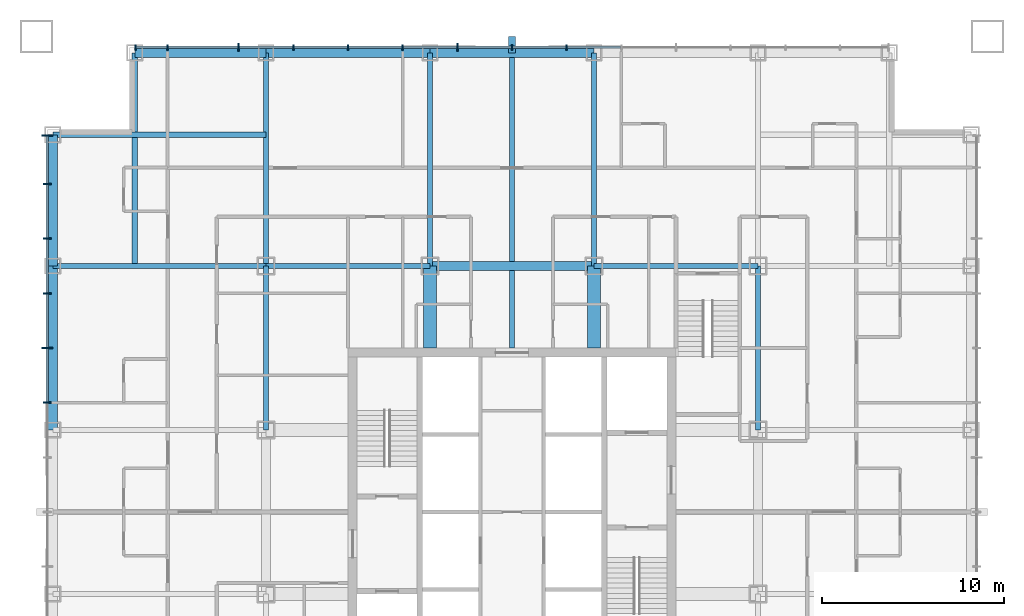
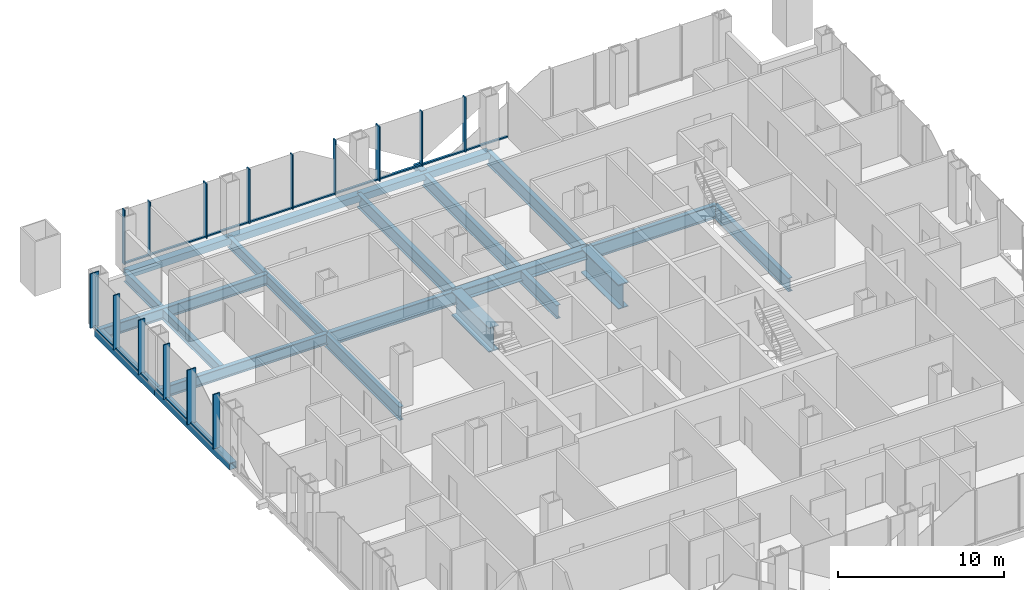
# One storey, part 4 of 13: 30 members, 19 beams, 2 elements without a shape of their own.
"""IFC4 building model written with IfcOpenShell, lengths in metres."""

from ifc_helpers import new_model, si_unit, direction, frame, origin, origin_2d, place, context, subcontext, project, spatial, rectangle, hollow_rectangle, i_section, extrude, material, layer, layer_set, material_profile, profile_set, type_object, element, aggregate, save


model = new_model("IFC4")

# Units and contexts
model_context = context("Model", 3, precision=1e-05, world=origin(), true_north=direction((0.0, 1.0)))
body_context = subcontext(model_context, "Body", "Model", "MODEL_VIEW")
ifc_project = project(units=[si_unit("LENGTHUNIT", "METRE"), si_unit("AREAUNIT", "SQUARE_METRE"), si_unit("VOLUMEUNIT", "CUBIC_METRE"), si_unit("PLANEANGLEUNIT", "RADIAN"), si_unit("MASSUNIT", "GRAM", prefix="KILO")], contexts=[model_context])

# Site, building, storey
site_placement = place(None, origin())
site = spatial("IfcSite", under=ifc_project, at=site_placement, CompositionType="ELEMENT")
building_placement = place(site_placement, origin())
building = spatial("IfcBuilding", under=site, at=building_placement, Name="Malebo Sky Hospital", CompositionType="ELEMENT")
storey_placement = place(building_placement, frame((0.0, 0.0, 79.0)))
storey = spatial("IfcBuildingStorey", under=building, at=storey_placement, Name="L18", CompositionType="ELEMENT", Elevation=79.0)

# Curtain wall, members
ifc_material_1 = material(Name="Anodised aluminium, natural silver", Category="aluminium")
ifc_layer_1 = layer(ifc_material_1, 0.25)
ifc_layer_set_1 = layer_set([ifc_layer_1], Name="WARD CURTAIN WALL NORTH AND SOUTH")
curtain_wall_type_1 = type_object("IfcCurtainWallType", Name="WARD CURTAIN WALL NORTH AND SOUTH", PredefinedType="NOTDEFINED", material=ifc_layer_set_1)
curtain_wall_1_placement = place(storey_placement, origin())
curtain_wall_1 = element("IfcCurtainWall", 1, at=curtain_wall_1_placement, inside=storey, type_object=curtain_wall_type_1, Name="NS curtain wall N", PredefinedType="NOTDEFINED")
ifc_material_profile_1 = material_profile(ifc_material_1, rectangle(XDim=0.14990234375, YDim=0.10009765625, at=origin_2d()), Name="ALUMINIUM TRANSOM 150x100")
ifc_profile_set_1 = profile_set([ifc_material_profile_1], Name="Anodised aluminium, natural silver")
member_type_1 = type_object("IfcMemberType", Name="ALUMINIUM TRANSOM 150x100", PredefinedType="USERDEFINED", material=ifc_profile_set_1)
member_1_placement = place(storey_placement, frame((39.375, 87.5, 0.050048828125), z_axis=(1.0, 0.0, 0.0), x_axis=(0.0, 1.0, 0.0)))
member_1 = element("IfcMember", 2, at=member_1_placement, type_object=member_type_1, Name="Transom 1", ObjectType="TRANSOM", PredefinedType="USERDEFINED", context=body_context, shape_type="SweptSolid", body=[
    extrude(rectangle(XDim=0.14990234375, YDim=0.10009765625, at=origin_2d()), origin(), (0.0, 0.0, 1.0), 1.6875),
])
member_2_placement = place(storey_placement, frame((41.137451171875, 87.5, 0.050048828125), z_axis=(1.0, 0.0, 0.0), x_axis=(0.0, 1.0, 0.0)))
member_2 = element("IfcMember", 3, at=member_2_placement, type_object=member_type_1, Name="Transom 2", ObjectType="TRANSOM", PredefinedType="USERDEFINED", context=body_context, shape_type="SweptSolid", body=[
    extrude(rectangle(XDim=0.14990234375, YDim=0.10009765625, at=origin_2d()), origin(), (0.0, 0.0, 1.0), 3.824951171875),
])
member_3_placement = place(storey_placement, frame((45.03759765625, 87.5, 0.050048828125), z_axis=(1.0, 0.0, 0.0), x_axis=(0.0, 1.0, 0.0)))
member_3 = element("IfcMember", 4, at=member_3_placement, type_object=member_type_1, Name="Transom 3", ObjectType="TRANSOM", PredefinedType="USERDEFINED", context=body_context, shape_type="SweptSolid", body=[
    extrude(rectangle(XDim=0.14990234375, YDim=0.10009765625, at=origin_2d()), origin(), (0.0, 0.0, 1.0), 2.9248046875),
])
member_4_placement = place(storey_placement, frame((48.03759765625, 87.5, 0.050048828125), z_axis=(1.0, 0.0, 0.0), x_axis=(0.0, 1.0, 0.0)))
member_4 = element("IfcMember", 5, at=member_4_placement, type_object=member_type_1, Name="Transom 4", ObjectType="TRANSOM", PredefinedType="USERDEFINED", context=body_context, shape_type="SweptSolid", body=[
    extrude(rectangle(XDim=0.14990234375, YDim=0.10009765625, at=origin_2d()), origin(), (0.0, 0.0, 1.0), 2.9248046875),
])
member_5_placement = place(storey_placement, frame((51.03759765625, 87.5, 0.050048828125), z_axis=(1.0, 0.0, 0.0), x_axis=(0.0, 1.0, 0.0)))
member_5 = element("IfcMember", 6, at=member_5_placement, type_object=member_type_1, Name="Transom 5", ObjectType="TRANSOM", PredefinedType="USERDEFINED", context=body_context, shape_type="SweptSolid", body=[
    extrude(rectangle(XDim=0.14990234375, YDim=0.10009765625, at=origin_2d()), origin(), (0.0, 0.0, 1.0), 2.9248046875),
])
member_6_placement = place(storey_placement, frame((54.03759765625, 87.5, 0.050048828125), z_axis=(1.0, 0.0, 0.0), x_axis=(0.0, 1.0, 0.0)))
member_6 = element("IfcMember", 7, at=member_6_placement, type_object=member_type_1, Name="Transom 6", ObjectType="TRANSOM", PredefinedType="USERDEFINED", context=body_context, shape_type="SweptSolid", body=[
    extrude(rectangle(XDim=0.14990234375, YDim=0.10009765625, at=origin_2d()), origin(), (0.0, 0.0, 1.0), 2.9248046875),
])
member_7_placement = place(storey_placement, frame((57.03759765625, 87.5, 0.050048828125), z_axis=(1.0, 0.0, 0.0), x_axis=(0.0, 1.0, 0.0)))
member_7 = element("IfcMember", 8, at=member_7_placement, type_object=member_type_1, Name="Transom 7", ObjectType="TRANSOM", PredefinedType="USERDEFINED", context=body_context, shape_type="SweptSolid", body=[
    extrude(rectangle(XDim=0.14990234375, YDim=0.10009765625, at=origin_2d()), origin(), (0.0, 0.0, 1.0), 2.9248046875),
])
member_8_placement = place(storey_placement, frame((60.03759765625, 87.5, 0.050048828125), z_axis=(1.0, 0.0, 0.0), x_axis=(0.0, 1.0, 0.0)))
member_8 = element("IfcMember", 9, at=member_8_placement, type_object=member_type_1, Name="Transom 8", ObjectType="TRANSOM", PredefinedType="USERDEFINED", context=body_context, shape_type="SweptSolid", body=[
    extrude(rectangle(XDim=0.14990234375, YDim=0.10009765625, at=origin_2d()), origin(), (0.0, 0.0, 1.0), 2.9248046875),
])
member_9_placement = place(storey_placement, frame((63.03759765625, 87.5, 0.050048828125), z_axis=(1.0, 0.0, 0.0), x_axis=(0.0, 1.0, 0.0)))
member_9 = element("IfcMember", 10, at=member_9_placement, type_object=member_type_1, Name="Transom 9", ObjectType="TRANSOM", PredefinedType="USERDEFINED", context=body_context, shape_type="SweptSolid", body=[
    extrude(rectangle(XDim=0.14990234375, YDim=0.10009765625, at=origin_2d()), origin(), (0.0, 0.0, 1.0), 2.9248046875),
])

ifc_layer_2 = layer(ifc_material_1, 0.25)
ifc_layer_set_2 = layer_set([ifc_layer_2], Name="WARD CURTAIN WALL EAST AND WEST")
curtain_wall_type_2 = type_object("IfcCurtainWallType", Name="WARD CURTAIN WALL EAST AND WEST", PredefinedType="NOTDEFINED", material=ifc_layer_set_2)
curtain_wall_2_placement = place(storey_placement, origin())
curtain_wall_2 = element("IfcCurtainWall", 11, at=curtain_wall_2_placement, inside=storey, type_object=curtain_wall_type_2, Name="EW curtain wall W", PredefinedType="NOTDEFINED")
member_10_placement = place(storey_placement, frame((34.5, 68.03759765625, 0.050048828125), z_axis=(0.0, 1.0, 0.0), x_axis=(-1.0, 0.0, 0.0)))
member_10 = element("IfcMember", 12, at=member_10_placement, type_object=member_type_1, Name="Transom 10", ObjectType="TRANSOM", PredefinedType="USERDEFINED", context=body_context, shape_type="SweptSolid", body=[
    extrude(rectangle(XDim=0.14990234375, YDim=0.10009765625, at=origin_2d()), origin(), (0.0, 0.0, 1.0), 2.9248046875),
])
member_11_placement = place(storey_placement, frame((34.5, 71.03759765625, 0.050048828125), z_axis=(0.0, 1.0, 0.0), x_axis=(-1.0, 0.0, 0.0)))
member_11 = element("IfcMember", 13, at=member_11_placement, type_object=member_type_1, Name="Transom 11", ObjectType="TRANSOM", PredefinedType="USERDEFINED", context=body_context, shape_type="SweptSolid", body=[
    extrude(rectangle(XDim=0.14990234375, YDim=0.10009765625, at=origin_2d()), origin(), (0.0, 0.0, 1.0), 2.9248046875),
])
member_12_placement = place(storey_placement, frame((34.5, 74.03759765625, 0.050048828125), z_axis=(0.0, 1.0, 0.0), x_axis=(-1.0, 0.0, 0.0)))
member_12 = element("IfcMember", 14, at=member_12_placement, type_object=member_type_1, Name="Transom 12", ObjectType="TRANSOM", PredefinedType="USERDEFINED", context=body_context, shape_type="SweptSolid", body=[
    extrude(rectangle(XDim=0.14990234375, YDim=0.10009765625, at=origin_2d()), origin(), (0.0, 0.0, 1.0), 2.9248046875),
])
member_13_placement = place(storey_placement, frame((34.5, 77.03759765625, 0.050048828125), z_axis=(0.0, 1.0, 0.0), x_axis=(-1.0, 0.0, 0.0)))
member_13 = element("IfcMember", 15, at=member_13_placement, type_object=member_type_1, Name="Transom 13", ObjectType="TRANSOM", PredefinedType="USERDEFINED", context=body_context, shape_type="SweptSolid", body=[
    extrude(rectangle(XDim=0.14990234375, YDim=0.10009765625, at=origin_2d()), origin(), (0.0, 0.0, 1.0), 2.9248046875),
])
member_14_placement = place(storey_placement, frame((34.5, 80.03759765625, 0.050048828125), z_axis=(0.0, 1.0, 0.0), x_axis=(-1.0, 0.0, 0.0)))
member_14 = element("IfcMember", 16, at=member_14_placement, type_object=member_type_1, Name="Transom 14", ObjectType="TRANSOM", PredefinedType="USERDEFINED", context=body_context, shape_type="SweptSolid", body=[
    extrude(rectangle(XDim=0.14990234375, YDim=0.10009765625, at=origin_2d()), origin(), (0.0, 0.0, 1.0), 2.58740234375),
])

# Member
ifc_material_2 = material(Name="Steel S355", Category="steel")
ifc_material_profile_2 = material_profile(ifc_material_2, hollow_rectangle(XDim=0.39990234375, YDim=0.39990234375, WallThickness=0.02001953125, at=origin_2d()), Name="SHS 400x20")
ifc_profile_set_2 = profile_set([ifc_material_profile_2], Name="Steel S355")
member_type_2 = type_object("IfcMemberType", Name="BRACE STRUT SHS 400x20", PredefinedType="STRUT", material=ifc_profile_set_2)
member_15_placement = place(storey_placement, frame((60.0, 88.10009765625, -0.39990234375), z_axis=(0.0, -1.0, 0.0), x_axis=(1.0, 0.0, 0.0)))
element("IfcMember", 17, at=member_15_placement, inside=storey, type_object=member_type_2, Name="Brace strut AN1 L18", PredefinedType="STRUT", context=body_context, shape_type="SweptSolid", body=[
    extrude(hollow_rectangle(XDim=0.39990234375, YDim=0.39990234375, WallThickness=0.02001953125, at=origin_2d()), origin(), (0.0, 0.0, 1.0), 0.900146484375),
])

ifc_material_profile_3 = material_profile(ifc_material_1, rectangle(XDim=0.074951171875, YDim=0.300048828125, at=origin_2d()), Name="CW1 ALUMINIUM FIN MULLION 75x300")
ifc_profile_set_3 = profile_set([ifc_material_profile_3], Name="Anodised aluminium, natural silver")
member_type_3 = type_object("IfcMemberType", Name="CW1 ALUMINIUM FIN MULLION 75x300", PredefinedType="MULLION", material=ifc_profile_set_3)
member_16_placement = place(storey_placement, frame((39.33740234375, 87.5, 0.0), z_axis=(0.0, 0.0, 1.0), x_axis=(1.0, 0.0, 0.0)))
member_16 = element("IfcMember", 18, at=member_16_placement, type_object=member_type_3, Name="Fin mullion 1", PredefinedType="MULLION", context=body_context, shape_type="SweptSolid", body=[
    extrude(rectangle(XDim=0.074951171875, YDim=0.300048828125, at=origin_2d()), origin(), (0.0, 0.0, 1.0), 4.0),
])

member_17_placement = place(storey_placement, frame((41.10009765625, 87.5, 0.0), z_axis=(0.0, 0.0, 1.0), x_axis=(1.0, 0.0, 0.0)))
member_17 = element("IfcMember", 19, at=member_17_placement, type_object=member_type_3, Name="Fin mullion 2", PredefinedType="MULLION", context=body_context, shape_type="SweptSolid", body=[
    extrude(rectangle(XDim=0.074951171875, YDim=0.300048828125, at=origin_2d()), origin(), (0.0, 0.0, 1.0), 4.0),
])

member_18_placement = place(storey_placement, frame((48.0, 87.5, 0.0), z_axis=(0.0, 0.0, 1.0), x_axis=(1.0, 0.0, 0.0)))
member_18 = element("IfcMember", 20, at=member_18_placement, type_object=member_type_3, Name="Fin mullion 4", PredefinedType="MULLION", context=body_context, shape_type="SweptSolid", body=[
    extrude(rectangle(XDim=0.074951171875, YDim=0.300048828125, at=origin_2d()), origin(), (0.0, 0.0, 1.0), 4.0),
])

member_19_placement = place(storey_placement, frame((51.0, 87.5, 0.0), z_axis=(0.0, 0.0, 1.0), x_axis=(1.0, 0.0, 0.0)))
member_19 = element("IfcMember", 21, at=member_19_placement, type_object=member_type_3, Name="Fin mullion 5", PredefinedType="MULLION", context=body_context, shape_type="SweptSolid", body=[
    extrude(rectangle(XDim=0.074951171875, YDim=0.300048828125, at=origin_2d()), origin(), (0.0, 0.0, 1.0), 4.0),
])

member_20_placement = place(storey_placement, frame((54.0, 87.5, 0.0), z_axis=(0.0, 0.0, 1.0), x_axis=(1.0, 0.0, 0.0)))
member_20 = element("IfcMember", 22, at=member_20_placement, type_object=member_type_3, Name="Fin mullion 6", PredefinedType="MULLION", context=body_context, shape_type="SweptSolid", body=[
    extrude(rectangle(XDim=0.074951171875, YDim=0.300048828125, at=origin_2d()), origin(), (0.0, 0.0, 1.0), 4.0),
])

member_21_placement = place(storey_placement, frame((60.0, 87.5, 0.0), z_axis=(0.0, 0.0, 1.0), x_axis=(1.0, 0.0, 0.0)))
member_21 = element("IfcMember", 23, at=member_21_placement, type_object=member_type_3, Name="Fin mullion 8", PredefinedType="MULLION", context=body_context, shape_type="SweptSolid", body=[
    extrude(rectangle(XDim=0.074951171875, YDim=0.300048828125, at=origin_2d()), origin(), (0.0, 0.0, 1.0), 4.0),
])

member_22_placement = place(storey_placement, frame((63.0, 87.5, 0.0), z_axis=(0.0, 0.0, 1.0), x_axis=(1.0, 0.0, 0.0)))
member_22 = element("IfcMember", 24, at=member_22_placement, type_object=member_type_3, Name="Fin mullion 9", PredefinedType="MULLION", context=body_context, shape_type="SweptSolid", body=[
    extrude(rectangle(XDim=0.074951171875, YDim=0.300048828125, at=origin_2d()), origin(), (0.0, 0.0, 1.0), 4.0),
])

ifc_material_profile_4 = material_profile(ifc_material_1, rectangle(XDim=0.074951171875, YDim=0.449951171875, at=origin_2d()), Name="CW1 ALUMINIUM FIN MULLION 75x450")
ifc_profile_set_4 = profile_set([ifc_material_profile_4], Name="Anodised aluminium, natural silver")
member_type_4 = type_object("IfcMemberType", Name="CW1 ALUMINIUM FIN MULLION 75x450", PredefinedType="MULLION", material=ifc_profile_set_4)
member_23_placement = place(storey_placement, frame((45.0, 87.5, 0.0), z_axis=(0.0, 0.0, 1.0), x_axis=(1.0, 0.0, 0.0)))
member_23 = element("IfcMember", 25, at=member_23_placement, type_object=member_type_4, Name="Fin mullion 3", PredefinedType="MULLION", context=body_context, shape_type="SweptSolid", body=[
    extrude(rectangle(XDim=0.074951171875, YDim=0.449951171875, at=origin_2d()), origin(), (0.0, 0.0, 1.0), 4.0),
])

member_24_placement = place(storey_placement, frame((57.0, 87.5, 0.0), z_axis=(0.0, 0.0, 1.0), x_axis=(1.0, 0.0, 0.0)))
member_24 = element("IfcMember", 26, at=member_24_placement, type_object=member_type_4, Name="Fin mullion 7", PredefinedType="MULLION", context=body_context, shape_type="SweptSolid", body=[
    extrude(rectangle(XDim=0.074951171875, YDim=0.449951171875, at=origin_2d()), origin(), (0.0, 0.0, 1.0), 4.0),
])

aggregate(curtain_wall_1, [member_16, member_17, member_23, member_18, member_19, member_20, member_24, member_21, member_22, member_1, member_2, member_3, member_4, member_5, member_6, member_7, member_8, member_9])

ifc_material_profile_5 = material_profile(ifc_material_1, rectangle(XDim=0.074951171875, YDim=0.449951171875, at=origin_2d()), Name="CW2 ALUMINIUM FIN MULLION 75x450")
ifc_profile_set_5 = profile_set([ifc_material_profile_5], Name="Anodised aluminium, natural silver")
member_type_5 = type_object("IfcMemberType", Name="CW2 ALUMINIUM FIN MULLION 75x450", PredefinedType="MULLION", material=ifc_profile_set_5)
member_25_placement = place(storey_placement, frame((34.5, 68.0, 0.0), z_axis=(0.0, 0.0, 1.0), x_axis=(0.0, 1.0, 0.0)))
member_25 = element("IfcMember", 27, at=member_25_placement, type_object=member_type_5, Name="Fin mullion 10", PredefinedType="MULLION", context=body_context, shape_type="SweptSolid", body=[
    extrude(rectangle(XDim=0.074951171875, YDim=0.449951171875, at=origin_2d()), origin(), (0.0, 0.0, 1.0), 4.0),
])

member_26_placement = place(storey_placement, frame((34.5, 74.0, 0.0), z_axis=(0.0, 0.0, 1.0), x_axis=(0.0, 1.0, 0.0)))
member_26 = element("IfcMember", 28, at=member_26_placement, type_object=member_type_5, Name="Fin mullion 12", PredefinedType="MULLION", context=body_context, shape_type="SweptSolid", body=[
    extrude(rectangle(XDim=0.074951171875, YDim=0.449951171875, at=origin_2d()), origin(), (0.0, 0.0, 1.0), 4.0),
])

member_27_placement = place(storey_placement, frame((34.5, 77.0, 0.0), z_axis=(0.0, 0.0, 1.0), x_axis=(0.0, 1.0, 0.0)))
member_27 = element("IfcMember", 29, at=member_27_placement, type_object=member_type_5, Name="Fin mullion 13", PredefinedType="MULLION", context=body_context, shape_type="SweptSolid", body=[
    extrude(rectangle(XDim=0.074951171875, YDim=0.449951171875, at=origin_2d()), origin(), (0.0, 0.0, 1.0), 4.0),
])

member_28_placement = place(storey_placement, frame((34.5, 80.0, 0.0), z_axis=(0.0, 0.0, 1.0), x_axis=(0.0, 1.0, 0.0)))
member_28 = element("IfcMember", 30, at=member_28_placement, type_object=member_type_5, Name="Fin mullion 14", PredefinedType="MULLION", context=body_context, shape_type="SweptSolid", body=[
    extrude(rectangle(XDim=0.074951171875, YDim=0.449951171875, at=origin_2d()), origin(), (0.0, 0.0, 1.0), 4.0),
])

ifc_material_profile_6 = material_profile(ifc_material_1, rectangle(XDim=0.074951171875, YDim=0.60009765625, at=origin_2d()), Name="CW2 ALUMINIUM FIN MULLION 75x600")
ifc_profile_set_6 = profile_set([ifc_material_profile_6], Name="Anodised aluminium, natural silver")
member_type_6 = type_object("IfcMemberType", Name="CW2 ALUMINIUM FIN MULLION 75x600", PredefinedType="MULLION", material=ifc_profile_set_6)
member_29_placement = place(storey_placement, frame((34.5, 71.0, 0.0), z_axis=(0.0, 0.0, 1.0), x_axis=(0.0, 1.0, 0.0)))
member_29 = element("IfcMember", 31, at=member_29_placement, type_object=member_type_6, Name="Fin mullion 11", PredefinedType="MULLION", context=body_context, shape_type="SweptSolid", body=[
    extrude(rectangle(XDim=0.074951171875, YDim=0.60009765625, at=origin_2d()), origin(), (0.0, 0.0, 1.0), 4.0),
])

member_30_placement = place(storey_placement, frame((34.5, 82.66259765625, 0.0), z_axis=(0.0, 0.0, 1.0), x_axis=(0.0, 1.0, 0.0)))
member_30 = element("IfcMember", 32, at=member_30_placement, type_object=member_type_6, Name="Fin mullion 15", PredefinedType="MULLION", context=body_context, shape_type="SweptSolid", body=[
    extrude(rectangle(XDim=0.074951171875, YDim=0.60009765625, at=origin_2d()), origin(), (0.0, 0.0, 1.0), 4.0),
])

aggregate(curtain_wall_2, [member_25, member_29, member_26, member_27, member_28, member_30, member_10, member_11, member_12, member_13, member_14])

# Beams
ifc_material_3 = material(Name="Steel S460", Category="steel")
ifc_material_profile_7 = material_profile(ifc_material_3, hollow_rectangle(XDim=0.5, YDim=0.5, WallThickness=0.030029296875, at=origin_2d()), Name="BOX 500x500x30")
ifc_profile_set_7 = profile_set([ifc_material_profile_7], Name="Steel S460")
beam_type_1 = type_object("IfcBeamType", Name="EDGE BEAM BOX 500x500x30", PredefinedType="BEAM", material=ifc_profile_set_7)
beam_1_placement = place(storey_placement, frame((34.800048828125, 66.5, -0.5), z_axis=(0.0, 1.0, 0.0), x_axis=(-1.0, 0.0, 0.0)))
element("IfcBeam", 33, at=beam_1_placement, inside=storey, type_object=beam_type_1, Name="Beam 003 L18", PredefinedType="BEAM", context=body_context, shape_type="SweptSolid", body=[
    extrude(hollow_rectangle(XDim=0.5, YDim=0.5, WallThickness=0.030029296875, at=origin_2d()), origin(), (0.0, 0.0, 1.0), 9.0),
])
for number, where, z_axis, x_axis, name in (
    (34, (34.800048828125, 75.5, -0.5), (0.0, 1.0, 0.0), (-1.0, 0.0, 0.0), "Beam 004 L18"),
    (35, (39.300048828125, 87.199951171875, -0.5), (1.0, 0.0, 0.0), (0.0, 1.0, 0.0), "Beam 063 L18"),
):
    element("IfcBeam", number, at=place(storey_placement, frame(where, z_axis=z_axis, x_axis=x_axis)), inside=storey, type_object=beam_type_1, Name=name, PredefinedType="BEAM", context=body_context, shape_type="SweptSolid", body=[
        extrude(hollow_rectangle(XDim=0.5, YDim=0.5, WallThickness=0.030029296875, at=origin_2d()), origin(), (0.0, 0.0, 1.0), 7.199951171875),
    ])
for number, where, z_axis, x_axis, name in (
    (36, (46.5, 87.199951171875, -0.5), (1.0, 0.0, 0.0), (0.0, 1.0, 0.0), "Beam 064 L18"),
    (37, (55.5, 87.199951171875, -0.5), (1.0, 0.0, 0.0), (0.0, 1.0, 0.0), "Beam 065 L18"),
):
    element("IfcBeam", number, at=place(storey_placement, frame(where, z_axis=z_axis, x_axis=x_axis)), inside=storey, type_object=beam_type_1, Name=name, PredefinedType="BEAM", context=body_context, shape_type="SweptSolid", body=[
        extrude(hollow_rectangle(XDim=0.5, YDim=0.5, WallThickness=0.030029296875, at=origin_2d()), origin(), (0.0, 0.0, 1.0), 9.0),
    ])
ifc_material_profile_8 = material_profile(ifc_material_2, i_section(OverallWidth=0.300048828125, OverallDepth=1.0, WebThickness=0.01904296875, FlangeThickness=0.035888671875, FilletRadius=0.030029296875, at=origin_2d()), Name="HEB 1000")
ifc_profile_set_8 = profile_set([ifc_material_profile_8], Name="Steel S355")
beam_type_2 = type_object("IfcBeamType", Name="FLOOR BEAM HEB 1000", PredefinedType="BEAM", material=ifc_profile_set_8)
beam_2_placement = place(storey_placement, frame((46.5, 66.5, -0.75), z_axis=(0.0, 1.0, 0.0), x_axis=(-1.0, 0.0, 0.0)))
element("IfcBeam", 38, at=beam_2_placement, inside=storey, type_object=beam_type_2, Name="Beam 010 L18", PredefinedType="BEAM", context=body_context, shape_type="SweptSolid", body=[
    extrude(i_section(OverallWidth=0.300048828125, OverallDepth=1.0, WebThickness=0.01904296875, FlangeThickness=0.035888671875, FilletRadius=0.030029296875, at=origin_2d()), origin(), (0.0, 0.0, 1.0), 9.0),
])
beam_3_placement = place(storey_placement, frame((55.5, 75.5, -0.75), z_axis=(0.0, 1.0, 0.0), x_axis=(-1.0, 0.0, 0.0)))
element("IfcBeam", 39, at=beam_3_placement, inside=storey, type_object=beam_type_2, Name="Beam 015 L18", PredefinedType="BEAM", context=body_context, shape_type="SweptSolid", body=[
    extrude(i_section(OverallWidth=0.300048828125, OverallDepth=1.0, WebThickness=0.01904296875, FlangeThickness=0.035888671875, FilletRadius=0.030029296875, at=origin_2d()), origin(), (0.0, 0.0, 1.0), 11.699951171875),
])
beam_4_placement = place(storey_placement, frame((60.0, 71.0, -0.75), z_axis=(0.0, 1.0, 0.0), x_axis=(-1.0, 0.0, 0.0)))
element("IfcBeam", 40, at=beam_4_placement, inside=storey, type_object=beam_type_2, Name="Beam 017 L18", PredefinedType="BEAM", context=body_context, shape_type="SweptSolid", body=[
    extrude(i_section(OverallWidth=0.300048828125, OverallDepth=1.0, WebThickness=0.01904296875, FlangeThickness=0.035888671875, FilletRadius=0.030029296875, at=origin_2d()), origin(), (0.0, 0.0, 1.0), 16.199951171875),
])
beam_5_placement = place(storey_placement, frame((64.5, 75.5, -0.75), z_axis=(0.0, 1.0, 0.0), x_axis=(-1.0, 0.0, 0.0)))
element("IfcBeam", 41, at=beam_5_placement, inside=storey, type_object=beam_type_2, Name="Beam 021 L18", PredefinedType="BEAM", context=body_context, shape_type="SweptSolid", body=[
    extrude(i_section(OverallWidth=0.300048828125, OverallDepth=1.0, WebThickness=0.01904296875, FlangeThickness=0.035888671875, FilletRadius=0.030029296875, at=origin_2d()), origin(), (0.0, 0.0, 1.0), 11.699951171875),
])
for number, where, z_axis, x_axis, name in (
    (42, (73.5, 66.5, -0.75), (0.0, 1.0, 0.0), (-1.0, 0.0, 0.0), "Beam 025 L18"),
    (43, (46.5, 75.5, -0.75), (1.0, 0.0, 0.0), (0.0, 1.0, 0.0), "Beam 057 L18"),
    (44, (64.5, 75.5, -0.75), (1.0, 0.0, 0.0), (0.0, 1.0, 0.0), "Beam 059 L18"),
):
    element("IfcBeam", number, at=place(storey_placement, frame(where, z_axis=z_axis, x_axis=x_axis)), inside=storey, type_object=beam_type_2, Name=name, PredefinedType="BEAM", context=body_context, shape_type="SweptSolid", body=[
        extrude(i_section(OverallWidth=0.300048828125, OverallDepth=1.0, WebThickness=0.01904296875, FlangeThickness=0.035888671875, FilletRadius=0.030029296875, at=origin_2d()), origin(), (0.0, 0.0, 1.0), 9.0),
    ])
ifc_material_profile_9 = material_profile(ifc_material_2, i_section(OverallWidth=0.300048828125, OverallDepth=0.800048828125, WebThickness=0.017578125, FlangeThickness=0.032958984375, FilletRadius=0.030029296875, at=origin_2d()), Name="HEB 800")
ifc_profile_set_9 = profile_set([ifc_material_profile_9], Name="Steel S355")
beam_type_3 = type_object("IfcBeamType", Name="FLOOR BEAM HEB 800", PredefinedType="BEAM", material=ifc_profile_set_9)
for number, where, z_axis, x_axis, name in (
    (45, (39.300048828125, 75.5, -0.64990234375), (0.0, 1.0, 0.0), (-1.0, 0.0, 0.0), "Beam 006 L18"),
    (46, (34.800048828125, 82.699951171875, -0.64990234375), (1.0, 0.0, 0.0), (0.0, 1.0, 0.0), "Beam 061 L18"),
):
    element("IfcBeam", number, at=place(storey_placement, frame(where, z_axis=z_axis, x_axis=x_axis)), inside=storey, type_object=beam_type_3, Name=name, PredefinedType="BEAM", context=body_context, shape_type="SweptSolid", body=[
        extrude(i_section(OverallWidth=0.300048828125, OverallDepth=0.800048828125, WebThickness=0.017578125, FlangeThickness=0.032958984375, FilletRadius=0.030029296875, at=origin_2d()), origin(), (0.0, 0.0, 1.0), 11.699951171875),
    ])
ifc_material_profile_10 = material_profile(ifc_material_2, i_section(OverallWidth=0.699951171875, OverallDepth=1.800048828125, WebThickness=0.034912109375, FlangeThickness=0.070068359375, at=origin_2d()), Name="PG 1800x700x35x70")
ifc_profile_set_10 = profile_set([ifc_material_profile_10], Name="Steel S355")
beam_type_4 = type_object("IfcBeamType", Name="FLOOR BEAM PG 1800x700x35x70", PredefinedType="BEAM", material=ifc_profile_set_10)
for number, where, z_axis, x_axis, name in (
    (47, (55.5, 71.0, -1.14990234375), (0.0, 1.0, 0.0), (-1.0, 0.0, 0.0), "Beam 014 L18"),
    (48, (64.5, 71.0, -1.14990234375), (0.0, 1.0, 0.0), (-1.0, 0.0, 0.0), "Beam 020 L18"),
):
    element("IfcBeam", number, at=place(storey_placement, frame(where, z_axis=z_axis, x_axis=x_axis)), inside=storey, type_object=beam_type_4, Name=name, PredefinedType="BEAM", context=body_context, shape_type="SweptSolid", body=[
        extrude(i_section(OverallWidth=0.699951171875, OverallDepth=1.800048828125, WebThickness=0.034912109375, FlangeThickness=0.070068359375, at=origin_2d()), origin(), (0.0, 0.0, 1.0), 4.5),
    ])
ifc_material_profile_11 = material_profile(ifc_material_2, i_section(OverallWidth=0.300048828125, OverallDepth=0.800048828125, WebThickness=0.017578125, FlangeThickness=0.032958984375, FilletRadius=0.030029296875, at=origin_2d()), Name="HEB 800")
ifc_profile_set_11 = profile_set([ifc_material_profile_11], Name="Steel S355")
beam_type_5 = type_object("IfcBeamType", Name="FLOOR GIRDER HEB 800", PredefinedType="BEAM", material=ifc_profile_set_11)
for number, where, z_axis, x_axis, name in (
    (49, (46.5, 75.5, -0.64990234375), (0.0, 1.0, 0.0), (-1.0, 0.0, 0.0), "Beam 011 L18"),
    (50, (34.800048828125, 75.5, -0.64990234375), (1.0, 0.0, 0.0), (0.0, 1.0, 0.0), "Beam 056 L18"),
):
    element("IfcBeam", number, at=place(storey_placement, frame(where, z_axis=z_axis, x_axis=x_axis)), inside=storey, type_object=beam_type_5, Name=name, PredefinedType="BEAM", context=body_context, shape_type="SweptSolid", body=[
        extrude(i_section(OverallWidth=0.300048828125, OverallDepth=0.800048828125, WebThickness=0.017578125, FlangeThickness=0.032958984375, FilletRadius=0.030029296875, at=origin_2d()), origin(), (0.0, 0.0, 1.0), 11.699951171875),
    ])
ifc_material_profile_12 = material_profile(ifc_material_2, i_section(OverallWidth=0.5, OverallDepth=0.800048828125, WebThickness=0.030029296875, FlangeThickness=0.050048828125, at=origin_2d()), Name="PG 800x500x30x50")
ifc_profile_set_12 = profile_set([ifc_material_profile_12], Name="Steel S355")
beam_type_6 = type_object("IfcBeamType", Name="RING GIRDER PG 800x500x30x50", PredefinedType="BEAM", material=ifc_profile_set_12)
beam_6_placement = place(storey_placement, frame((55.5, 75.5, -0.64990234375), z_axis=(1.0, 0.0, 0.0), x_axis=(0.0, 1.0, 0.0)))
element("IfcBeam", 51, at=beam_6_placement, inside=storey, type_object=beam_type_6, Name="Beam 058 L18", PredefinedType="BEAM", context=body_context, shape_type="SweptSolid", body=[
    extrude(i_section(OverallWidth=0.5, OverallDepth=0.800048828125, WebThickness=0.030029296875, FlangeThickness=0.050048828125, at=origin_2d()), origin(), (0.0, 0.0, 1.0), 9.0),
])

save(model, "model.ifc")
